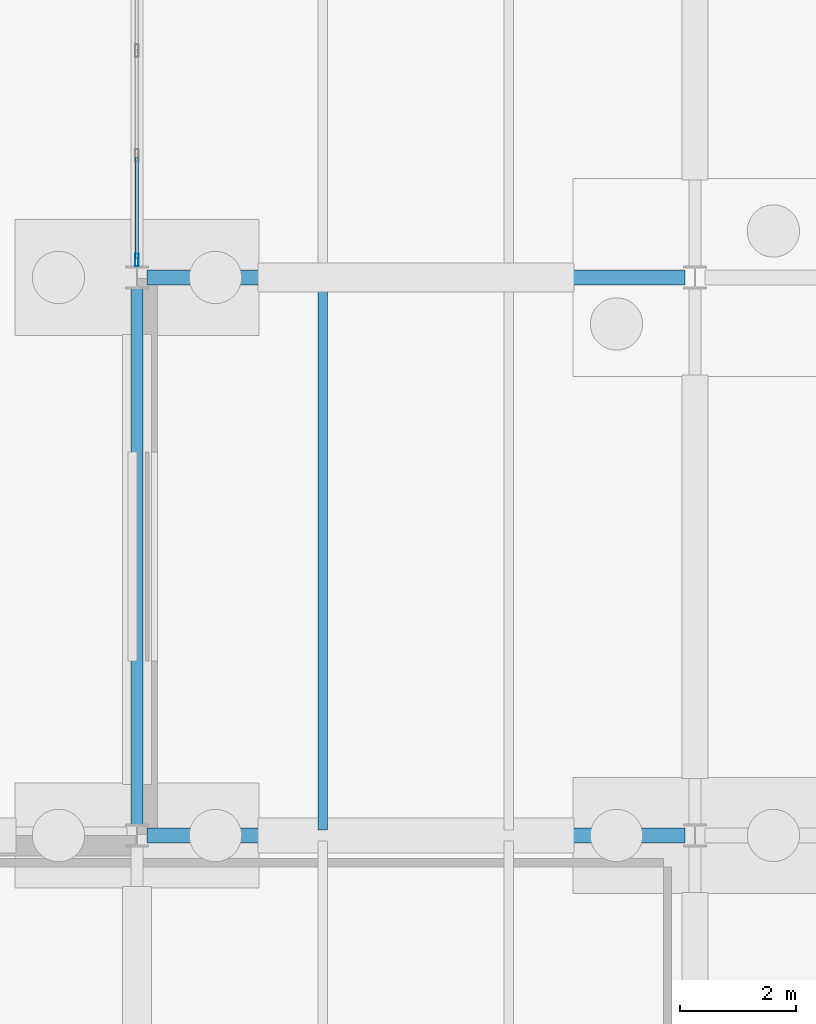
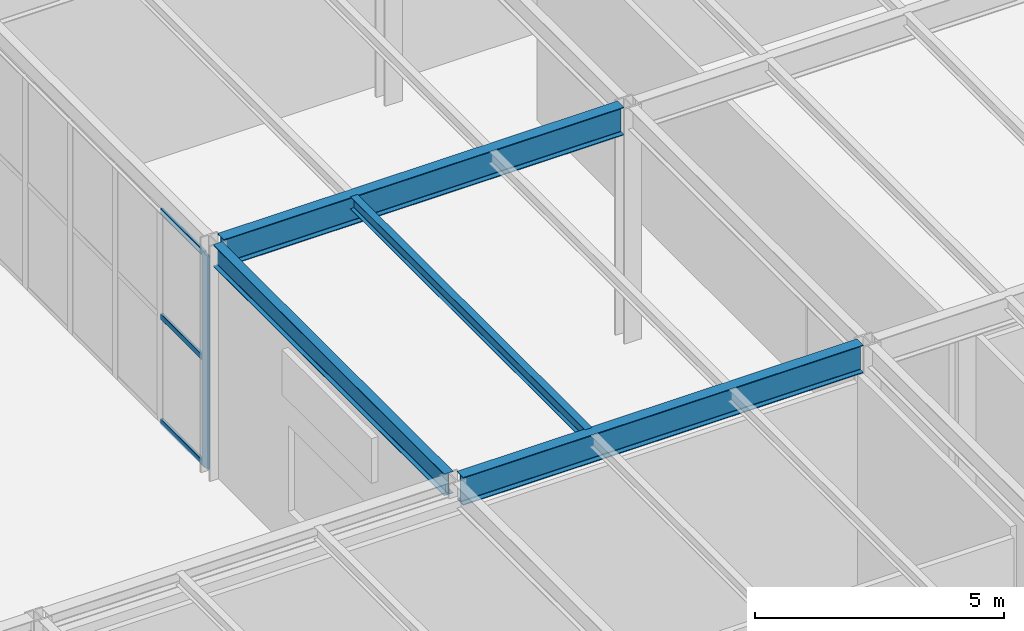
# One storey, part 83 of 142: 4 beams, 4 members, 1 element without a shape of its own.
"""IFC4 building model written with IfcOpenShell, lengths in metres."""

from ifc_helpers import new_model, si_unit, direction, frame, origin, origin_2d, place, context, subcontext, project, spatial, hollow_rectangle, i_section, extrude, material, material_profile, profile_set, type_object, element, aggregate, save


model = new_model("IFC4")

# Units and contexts
model_context = context("Model", 3, precision=1e-05, world=origin(), true_north=direction((0.0, 1.0)))
body_context = subcontext(model_context, "Body", "Model", "MODEL_VIEW")
ifc_project = project(units=[si_unit("LENGTHUNIT", "METRE"), si_unit("AREAUNIT", "SQUARE_METRE"), si_unit("VOLUMEUNIT", "CUBIC_METRE"), si_unit("PLANEANGLEUNIT", "RADIAN"), si_unit("MASSUNIT", "GRAM", prefix="KILO")], contexts=[model_context])

# Site, building, storey
site_placement = place(None, origin())
site = spatial("IfcSite", under=ifc_project, at=site_placement, CompositionType="ELEMENT")
building_placement = place(site_placement, origin())
building = spatial("IfcBuilding", under=site, at=building_placement, Name="Coralgate Yard Interchange", CompositionType="ELEMENT")
storey_placement = place(building_placement, origin())
storey = spatial("IfcBuildingStorey", under=building, at=storey_placement, Name="L00", CompositionType="ELEMENT", Elevation=0.0)

# Beams
ifc_material_1 = material(Name="Structural steel S355J2", Category="steel")
ifc_material_profile_1 = material_profile(ifc_material_1, i_section(OverallWidth=0.209228515625, OverallDepth=0.533203125, WebThickness=0.010009765625, FlangeThickness=0.015625, FilletRadius=0.0126953125, at=origin_2d()), Name="UB 533x210x92")
ifc_profile_set_1 = profile_set([ifc_material_profile_1], Name="Structural steel S355J2")
beam_type_1 = type_object("IfcBeamType", Name="BM-SB-1", PredefinedType="BEAM", material=ifc_profile_set_1)
beam_1_placement = place(storey_placement, frame((153.60009765625, 19.36669921875, 5.4833984375), z_axis=(0.0, 1.0, 0.0), x_axis=(-1.0, 0.0, 0.0)))
element("IfcBeam", 1, at=beam_1_placement, inside=storey, type_object=beam_type_1, Name="L00 primary grid girder X16 Y2-3", PredefinedType="BEAM", context=body_context, shape_type="SweptSolid", body=[
    extrude(i_section(OverallWidth=0.209228515625, OverallDepth=0.533203125, WebThickness=0.010009765625, FlangeThickness=0.015625, FilletRadius=0.0126953125, at=origin_2d()), origin(), (0.0, 0.0, 1.0), 9.2666015625),
])
ifc_material_profile_2 = material_profile(ifc_material_1, i_section(OverallWidth=0.253662109375, OverallDepth=0.68359375, WebThickness=0.012451171875, FlangeThickness=0.01904296875, FilletRadius=0.01513671875, at=origin_2d()), Name="UB 686x254x140")
ifc_profile_set_2 = profile_set([ifc_material_profile_2], Name="Structural steel S355J2")
beam_type_2 = type_object("IfcBeamType", Name="BM-SG-4", PredefinedType="BEAM", material=ifc_profile_set_2)
for number, where, z_axis, x_axis, name in (
    (2, (153.76953125, 19.199951171875, 5.408203125), (1.0, 0.0, 0.0), (0.0, 1.0, 0.0), "L00 primary grid beam Y2 X16-17"),
    (3, (153.76953125, 28.800048828125, 5.408203125), (1.0, 0.0, 0.0), (0.0, 1.0, 0.0), "L00 primary grid beam Y3 X16-17"),
):
    element("IfcBeam", number, at=place(storey_placement, frame(where, z_axis=z_axis, x_axis=x_axis)), inside=storey, type_object=beam_type_2, Name=name, PredefinedType="BEAM", context=body_context, shape_type="SweptSolid", body=[
        extrude(i_section(OverallWidth=0.253662109375, OverallDepth=0.68359375, WebThickness=0.012451171875, FlangeThickness=0.01904296875, FilletRadius=0.01513671875, at=origin_2d()), origin(), (0.0, 0.0, 1.0), 9.260986328125),
    ])
ifc_material_profile_3 = material_profile(ifc_material_1, i_section(OverallWidth=0.1650390625, OverallDepth=0.303466796875, WebThickness=0.006103515625, FlangeThickness=0.01025390625, FilletRadius=0.0087890625, at=origin_2d()), Name="UB 305x165x40")
ifc_profile_set_3 = profile_set([ifc_material_profile_3], Name="Structural steel S355J2")
beam_type_3 = type_object("IfcBeamType", Name="BM-SJ-1", PredefinedType="JOIST", material=ifc_profile_set_3)
beam_2_placement = place(storey_placement, frame((156.800048828125, 19.296875, 5.598388671875), z_axis=(0.0, 1.0, 0.0), x_axis=(-1.0, 0.0, 0.0)))
element("IfcBeam", 4, at=beam_2_placement, inside=storey, type_object=beam_type_3, Name="L00 composite floor joist 16-2-1", PredefinedType="JOIST", context=body_context, shape_type="SweptSolid", body=[
    extrude(i_section(OverallWidth=0.1650390625, OverallDepth=0.303466796875, WebThickness=0.006103515625, FlangeThickness=0.01025390625, FilletRadius=0.0087890625, at=origin_2d()), origin(), (0.0, 0.0, 1.0), 9.40625),
])

# Curtain wall, members
ifc_material_2 = material(Name="Anodised coastal aluminium and solar-control low-E glass", Category="aluminium")
curtain_wall_type = type_object("IfcCurtainWallType", Name="CW-CW-L00-B", PredefinedType="NOTDEFINED", material=ifc_material_2)
curtain_wall_placement = place(storey_placement, origin())
curtain_wall = element("IfcCurtainWall", 5, at=curtain_wall_placement, inside=storey, type_object=curtain_wall_type, Name="L00 unitised curtain wall CW-L00-W-16-03", PredefinedType="NOTDEFINED")
ifc_material_3 = material(Name="Anodised coastal aluminium 6063-T6", Category="aluminium")
ifc_material_profile_4 = material_profile(ifc_material_3, hollow_rectangle(XDim=0.06005859375, YDim=0.219970703125, WallThickness=0.00390625, InnerFilletRadius=0.00390625, OuterFilletRadius=0.008056640625, at=origin_2d()), Name="ALU 60x220x4")
ifc_profile_set_4 = profile_set([ifc_material_profile_4], Name="Anodised coastal aluminium 6063-T6")
member_type_1 = type_object("IfcMemberType", Name="MB-MUL-220", PredefinedType="MULLION", material=ifc_profile_set_4)
member_1_placement = place(storey_placement, frame((153.60009765625, 29.10009765625, 0.0), z_axis=(0.0, 0.0, 1.0), x_axis=(1.0, 0.0, 0.0)))
member_1 = element("IfcMember", 6, at=member_1_placement, type_object=member_type_1, Name="CW-L00-W-16-03 vertical mullion 1", PredefinedType="MULLION", context=body_context, shape_type="SweptSolid", body=[
    extrude(hollow_rectangle(XDim=0.06005859375, YDim=0.219970703125, WallThickness=0.00390625, InnerFilletRadius=0.00390625, OuterFilletRadius=0.008056640625, at=origin_2d()), origin(), (0.0, 0.0, 1.0), 5.216796875),
])
ifc_material_profile_5 = material_profile(ifc_material_3, hollow_rectangle(XDim=0.06005859375, YDim=0.139892578125, WallThickness=0.00341796875, InnerFilletRadius=0.00341796875, OuterFilletRadius=0.007080078125, at=origin_2d()), Name="ALU 60x140x3.5")
ifc_profile_set_5 = profile_set([ifc_material_profile_5], Name="Anodised coastal aluminium 6063-T6")
member_type_2 = type_object("IfcMemberType", Name="MB-TRN-140", PredefinedType="USERDEFINED", material=ifc_profile_set_5)
member_2_placement = place(storey_placement, frame((153.60009765625, 29.1298828125, 0.034912109375), z_axis=(0.0, 1.0, 0.0), x_axis=(-1.0, 0.0, 0.0)))
member_2 = element("IfcMember", 7, at=member_2_placement, type_object=member_type_2, Name="CW-L00-W-16-03 horizontal transom 1-1", ObjectType="TRANSOM", PredefinedType="USERDEFINED", context=body_context, shape_type="SweptSolid", body=[
    extrude(hollow_rectangle(XDim=0.06005859375, YDim=0.139892578125, WallThickness=0.00341796875, InnerFilletRadius=0.00341796875, OuterFilletRadius=0.007080078125, at=origin_2d()), origin(), (0.0, 0.0, 1.0), 1.740234375),
])
member_3_placement = place(storey_placement, frame((153.60009765625, 29.1298828125, 2.6083984375), z_axis=(0.0, 1.0, 0.0), x_axis=(-1.0, 0.0, 0.0)))
member_3 = element("IfcMember", 8, at=member_3_placement, type_object=member_type_2, Name="CW-L00-W-16-03 horizontal transom 1-2", ObjectType="TRANSOM", PredefinedType="USERDEFINED", context=body_context, shape_type="SweptSolid", body=[
    extrude(hollow_rectangle(XDim=0.06005859375, YDim=0.139892578125, WallThickness=0.00341796875, InnerFilletRadius=0.00341796875, OuterFilletRadius=0.007080078125, at=origin_2d()), origin(), (0.0, 0.0, 1.0), 1.740234375),
])
member_4_placement = place(storey_placement, frame((153.60009765625, 29.1298828125, 5.181884765625), z_axis=(0.0, 1.0, 0.0), x_axis=(-1.0, 0.0, 0.0)))
member_4 = element("IfcMember", 9, at=member_4_placement, type_object=member_type_2, Name="CW-L00-W-16-03 horizontal transom 1-3", ObjectType="TRANSOM", PredefinedType="USERDEFINED", context=body_context, shape_type="SweptSolid", body=[
    extrude(hollow_rectangle(XDim=0.06005859375, YDim=0.139892578125, WallThickness=0.00341796875, InnerFilletRadius=0.00341796875, OuterFilletRadius=0.007080078125, at=origin_2d()), origin(), (0.0, 0.0, 1.0), 1.740234375),
])
aggregate(curtain_wall, [member_1, member_2, member_3, member_4])

save(model, "model.ifc")
